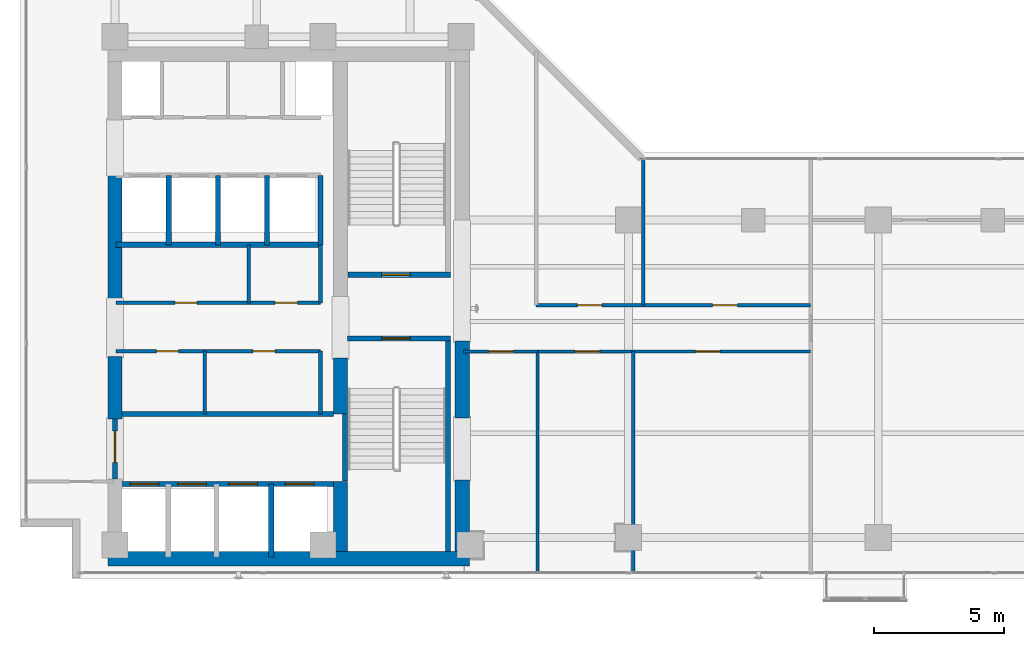
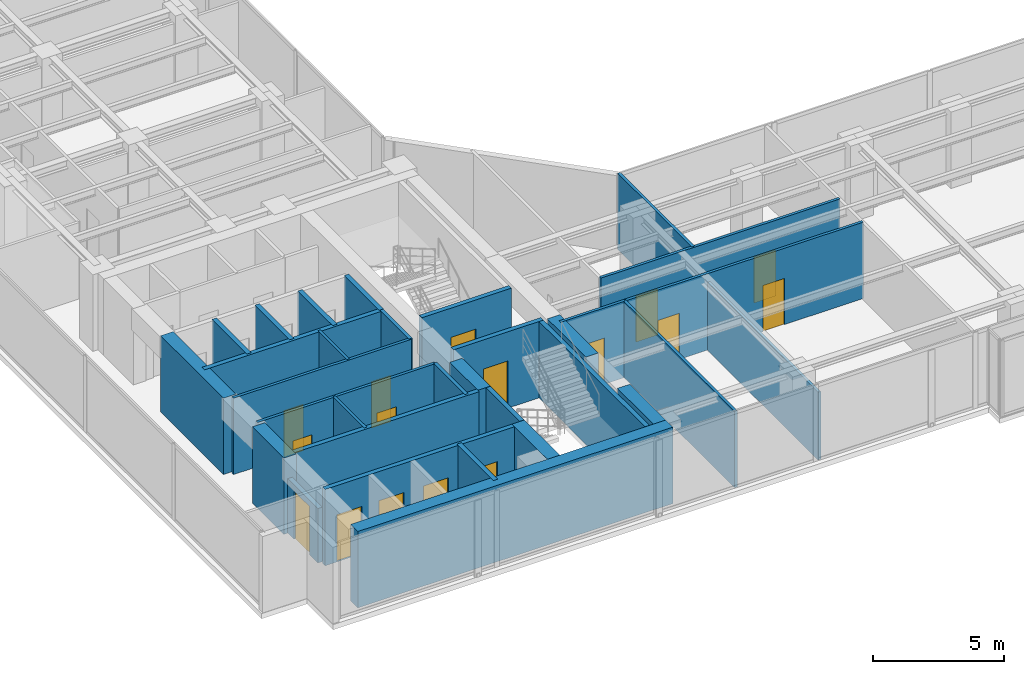
# One storey, part 17 of 24: 32 walls, 16 doors, 16 openings.
"""IFC4 building model written with IfcOpenShell, lengths in metres."""

from ifc_helpers import new_model, si_unit, direction, frame, frame_2d, origin, place, context, subcontext, project, spatial, rectangle, extrude, material, layer, layer_set, type_object, element, fill, save


model = new_model("IFC4")

# Units and contexts
model_context = context("Model", 3, precision=1e-05, world=origin(), true_north=direction((0.0, 1.0)))
body_context = subcontext(model_context, "Body", "Model", "MODEL_VIEW")
ifc_project = project(units=[si_unit("LENGTHUNIT", "METRE"), si_unit("AREAUNIT", "SQUARE_METRE"), si_unit("VOLUMEUNIT", "CUBIC_METRE"), si_unit("PLANEANGLEUNIT", "RADIAN"), si_unit("MASSUNIT", "GRAM", prefix="KILO")], contexts=[model_context])

# Site, building, storey
site_placement = place(None, origin())
site = spatial("IfcSite", under=ifc_project, at=site_placement, CompositionType="ELEMENT")
building_placement = place(site_placement, origin())
building = spatial("IfcBuilding", under=site, at=building_placement, Name="Kolvaren Waterfront Exchange", CompositionType="ELEMENT")
storey_placement = place(building_placement, frame((0.0, 0.0, 238.699951171875)))
storey = spatial("IfcBuildingStorey", under=building, at=storey_placement, Name="L61", CompositionType="ELEMENT", Elevation=238.699951171875)

# Wall, opening, door
ifc_material_1 = material(Name="Precast concrete C40/50", Category="concrete")
ifc_layer_1 = layer(ifc_material_1, 0.199951171875, Name="Precast concrete C40/50")
ifc_layer_set_1 = layer_set([ifc_layer_1], Name="Precast concrete C40/50")
wall_type_1 = type_object("IfcWallType", Name="ARC-FIRE-200", PredefinedType="PARTITIONING", material=ifc_layer_set_1)
wall_1_placement = place(storey_placement, frame((16.39990234375, 12.85009765625, 0.0), z_axis=(0.0, 0.0, 1.0), x_axis=(1.0, 0.0, 0.0)))
wall_1 = element("IfcWall", 1, at=wall_1_placement, inside=storey, type_object=wall_type_1, Name="L61 interior wall PW-L61-ST1-THROAT-S", PredefinedType="PARTITIONING", context=body_context, shape_type="SweptSolid", body=[
    extrude(rectangle(XDim=3.960205078125, YDim=0.199951171875, at=frame_2d((1.97998046875, 0.0))), origin(), (0.0, 0.0, 1.0), 3.56005859375),
])
opening_1_placement = place(wall_1_placement, frame((1.3037109375, 0.0, 0.0)))
opening_1 = element("IfcOpeningElement", 2, at=opening_1_placement, cuts=wall_1, Name="Opening FD2", PredefinedType="OPENING", context=body_context, shape_type="SweptSolid", body=[
    extrude(rectangle(XDim=1.10009765625, YDim=2.199951171875, at=frame_2d((0.550048828125, 1.10009765625))), frame((0.0, 0.10986328125, 0.0), z_axis=(0.0, -1.0, 0.0), x_axis=(1.0, 0.0, 0.0)), (0.0, 0.0, 1.0), 0.219970703125),
])
ifc_material_2 = material(Name="Pressed steel smoke-seal fire door", Category="steel")
door_type_1 = type_object("IfcDoorType", Name="ARC-FD-1100", OperationType="NOTDEFINED", PredefinedType="DOOR", material=ifc_material_2)
door_1_placement = place(opening_1_placement, frame((1.10009765625, 0.0, 0.0), z_axis=(0.0, 0.0, 1.0), x_axis=(-1.0, 0.0, 0.0)))
door_1 = element("IfcDoor", 3, at=door_1_placement, inside=storey, type_object=door_type_1, Name="L61 door DR-L61-ST1-IN (FD2)", OperationType="SINGLE_SWING_LEFT", OverallHeight=2.199951171875, OverallWidth=1.10009765625, PredefinedType="DOOR", context=body_context, shape_type="SweptSolid", body=[
    extrude(rectangle(XDim=1.10009765625, YDim=2.199951171875, at=frame_2d((0.550048828125, 1.10009765625))), frame((0.0, 0.02490234375, 0.0), z_axis=(0.0, -1.0, 0.0), x_axis=(1.0, 0.0, 0.0)), (0.0, 0.0, 1.0), 0.050048828125),
])
fill(opening_1, door_1)

wall_2_placement = place(storey_placement, frame((16.409912109375, 15.300048828125, 0.0), z_axis=(0.0, 0.0, 1.0), x_axis=(1.0, 0.0, 0.0)))
wall_2 = element("IfcWall", 4, at=wall_2_placement, inside=storey, type_object=wall_type_1, Name="L61 interior wall PW-L61-ST2-THROAT-N", PredefinedType="PARTITIONING", context=body_context, shape_type="SweptSolid", body=[
    extrude(rectangle(XDim=3.9501953125, YDim=0.199951171875, at=frame_2d((1.97509765625, 0.0))), origin(), (0.0, 0.0, 1.0), 3.56005859375),
])
opening_2_placement = place(wall_2_placement, frame((1.293701171875, 0.0, 0.0)))
opening_2 = element("IfcOpeningElement", 5, at=opening_2_placement, cuts=wall_2, Name="Opening FD2", PredefinedType="OPENING", context=body_context, shape_type="SweptSolid", body=[
    extrude(rectangle(XDim=1.10009765625, YDim=2.199951171875, at=frame_2d((0.550048828125, 1.10009765625))), frame((0.0, 0.10986328125, 0.0), z_axis=(0.0, -1.0, 0.0), x_axis=(1.0, 0.0, 0.0)), (0.0, 0.0, 1.0), 0.219970703125),
])
door_2_placement = place(opening_2_placement, origin())
door_2 = element("IfcDoor", 6, at=door_2_placement, inside=storey, type_object=door_type_1, Name="L61 door DR-L61-ST2-IN (FD2)", OperationType="SINGLE_SWING_RIGHT", OverallHeight=2.199951171875, OverallWidth=1.10009765625, PredefinedType="DOOR", context=body_context, shape_type="SweptSolid", body=[
    extrude(rectangle(XDim=1.10009765625, YDim=2.199951171875, at=frame_2d((0.550048828125, 1.10009765625))), frame((0.0, 0.02490234375, 0.0), z_axis=(0.0, -1.0, 0.0), x_axis=(1.0, 0.0, 0.0)), (0.0, 0.0, 1.0), 0.050048828125),
])
fill(opening_2, door_2)

# Wall
wall_3_placement = place(storey_placement, frame((7.5, 9.949951171875, 0.0), z_axis=(0.0, 0.0, 1.0), x_axis=(1.0, 0.0, 0.0)))
element("IfcWall", 7, at=wall_3_placement, inside=storey, type_object=wall_type_1, Name="L61 interior wall PW-L61-FF-N", PredefinedType="PARTITIONING", context=body_context, shape_type="SweptSolid", body=[
    extrude(rectangle(XDim=8.35009765625, YDim=0.199951171875, at=frame_2d((4.175048828125, 0.0))), origin(), (0.0, 0.0, 1.0), 3.56005859375),
])

# Wall, opening, door
wall_4_placement = place(storey_placement, frame((7.449951171875, 7.449951171875, 0.0), z_axis=(0.0, 0.0, 1.0), x_axis=(0.0, 1.0, 0.0)))
wall_4 = element("IfcWall", 8, at=wall_4_placement, inside=storey, type_object=wall_type_1, Name="L61 interior wall PW-L61-FF-W-DOOR", PredefinedType="PARTITIONING", context=body_context, shape_type="SweptSolid", body=[
    extrude(rectangle(XDim=2.300048828125, YDim=0.199951171875, at=frame_2d((1.14990234375, 0.0))), origin(), (0.0, 0.0, 1.0), 2.5400390625),
])
opening_3_placement = place(wall_4_placement, frame((0.63330078125, 0.0, 0.0)))
opening_3 = element("IfcOpeningElement", 9, at=opening_3_placement, cuts=wall_4, Name="Opening FD3", PredefinedType="OPENING", context=body_context, shape_type="SweptSolid", body=[
    extrude(rectangle(XDim=1.199951171875, YDim=2.25, at=frame_2d((0.60009765625, 1.125))), frame((0.0, 0.10986328125, 0.0), z_axis=(0.0, -1.0, 0.0), x_axis=(1.0, 0.0, 0.0)), (0.0, 0.0, 1.0), 0.219970703125),
])
ifc_material_3 = material(Name="Pressed steel fire door", Category="steel")
door_type_2 = type_object("IfcDoorType", Name="ARC-FD-1200", OperationType="NOTDEFINED", PredefinedType="DOOR", material=ifc_material_3)
door_3_placement = place(opening_3_placement, frame((1.199951171875, 0.0, 0.0), z_axis=(0.0, 0.0, 1.0), x_axis=(-1.0, 0.0, 0.0)))
door_3 = element("IfcDoor", 10, at=door_3_placement, inside=storey, type_object=door_type_2, Name="L61 door DR-L61-FF-OUT (FD3)", OperationType="SINGLE_SWING_LEFT", OverallHeight=2.25, OverallWidth=1.199951171875, PredefinedType="DOOR", context=body_context, shape_type="SweptSolid", body=[
    extrude(rectangle(XDim=1.199951171875, YDim=2.25, at=frame_2d((0.60009765625, 1.125))), frame((0.0, 0.02490234375, 0.0), z_axis=(0.0, -1.0, 0.0), x_axis=(1.0, 0.0, 0.0)), (0.0, 0.0, 1.0), 0.050048828125),
])
fill(opening_3, door_3)

# Wall, openings, doors
ifc_material_4 = material(Name="Acoustic gypsum steel stud", Category="steel")
ifc_layer_2 = layer(ifc_material_4, 0.125, Name="Acoustic gypsum steel stud")
ifc_layer_set_2 = layer_set([ifc_layer_2], Name="Acoustic gypsum steel stud")
wall_type_2 = type_object("IfcWallType", Name="ARC-PART-125", PredefinedType="PARTITIONING", material=ifc_layer_set_2)
wall_5_placement = place(storey_placement, frame((7.5, 12.360107421875, 0.0), z_axis=(0.0, 0.0, 1.0), x_axis=(1.0, 0.0, 0.0)))
wall_5 = element("IfcWall", 11, at=wall_5_placement, inside=storey, type_object=wall_type_2, Name="L61 interior wall PW-L61-REC-HI-S", PredefinedType="PARTITIONING", context=body_context, shape_type="SweptSolid", body=[
    extrude(rectangle(XDim=7.85009765625, YDim=0.125, at=frame_2d((3.925048828125, 0.0))), origin(), (0.0, 0.0, 1.0), 3.56005859375),
])
opening_4_placement = place(wall_5_placement, frame((1.550048828125, 0.0, 0.0)))
opening_4 = element("IfcOpeningElement", 12, at=opening_4_placement, cuts=wall_5, Name="Opening D01", PredefinedType="OPENING", context=body_context, shape_type="SweptSolid", body=[
    extrude(rectangle(XDim=0.85009765625, YDim=2.14990234375, at=frame_2d((0.425048828125, 1.074951171875))), frame((0.0, 0.072509765625, 0.0), z_axis=(0.0, -1.0, 0.0), x_axis=(1.0, 0.0, 0.0)), (0.0, 0.0, 1.0), 0.14501953125),
])
opening_5_placement = place(wall_5_placement, frame((5.2578125, 0.0, 0.0)))
opening_5 = element("IfcOpeningElement", 13, at=opening_5_placement, cuts=wall_5, Name="Opening D01", PredefinedType="OPENING", context=body_context, shape_type="SweptSolid", body=[
    extrude(rectangle(XDim=0.85009765625, YDim=2.14990234375, at=frame_2d((0.425048828125, 1.074951171875))), frame((0.0, 0.072509765625, 0.0), z_axis=(0.0, -1.0, 0.0), x_axis=(1.0, 0.0, 0.0)), (0.0, 0.0, 1.0), 0.14501953125),
])
ifc_material_5 = material(Name="Oak veneer timber leaf", Category="wood")
door_type_3 = type_object("IfcDoorType", Name="ARC-DR-900", OperationType="NOTDEFINED", PredefinedType="DOOR", material=ifc_material_5)
door_4_placement = place(opening_4_placement, origin())
door_4 = element("IfcDoor", 14, at=door_4_placement, inside=storey, type_object=door_type_3, Name="L61 door DR-L61-REC-HI-D1 (D01)", OperationType="SINGLE_SWING_RIGHT", OverallHeight=2.14990234375, OverallWidth=0.85009765625, PredefinedType="DOOR", context=body_context, shape_type="SweptSolid", body=[
    extrude(rectangle(XDim=0.85009765625, YDim=2.14990234375, at=frame_2d((0.425048828125, 1.074951171875))), frame((0.0, 0.02490234375, 0.0), z_axis=(0.0, -1.0, 0.0), x_axis=(1.0, 0.0, 0.0)), (0.0, 0.0, 1.0), 0.050048828125),
])
fill(opening_4, door_4)
door_5_placement = place(opening_5_placement, origin())
door_5 = element("IfcDoor", 15, at=door_5_placement, inside=storey, type_object=door_type_3, Name="L61 door DR-L61-REC-HI-D2 (D01)", OperationType="SINGLE_SWING_LEFT", OverallHeight=2.14990234375, OverallWidth=0.85009765625, PredefinedType="DOOR", context=body_context, shape_type="SweptSolid", body=[
    extrude(rectangle(XDim=0.85009765625, YDim=2.14990234375, at=frame_2d((0.425048828125, 1.074951171875))), frame((0.0, 0.02490234375, 0.0), z_axis=(0.0, -1.0, 0.0), x_axis=(1.0, 0.0, 0.0)), (0.0, 0.0, 1.0), 0.050048828125),
])
fill(opening_5, door_5)

wall_6_placement = place(storey_placement, frame((7.5, 14.219970703125, 0.0), z_axis=(0.0, 0.0, 1.0), x_axis=(1.0, 0.0, 0.0)))
wall_6 = element("IfcWall", 16, at=wall_6_placement, inside=storey, type_object=wall_type_2, Name="L61 interior wall PW-L61-REC-HI-N", PredefinedType="PARTITIONING", context=body_context, shape_type="SweptSolid", body=[
    extrude(rectangle(XDim=7.85009765625, YDim=0.125, at=frame_2d((3.925048828125, 0.0))), origin(), (0.0, 0.0, 1.0), 3.56005859375),
])
opening_6_placement = place(wall_6_placement, frame((2.25244140625, 0.0, 0.0)))
opening_6 = element("IfcOpeningElement", 17, at=opening_6_placement, cuts=wall_6, Name="Opening D01", PredefinedType="OPENING", context=body_context, shape_type="SweptSolid", body=[
    extrude(rectangle(XDim=0.85009765625, YDim=2.14990234375, at=frame_2d((0.425048828125, 1.074951171875))), frame((0.0, 0.072509765625, 0.0), z_axis=(0.0, -1.0, 0.0), x_axis=(1.0, 0.0, 0.0)), (0.0, 0.0, 1.0), 0.14501953125),
])
opening_7_placement = place(wall_6_placement, frame((6.111328125, 0.0, 0.0)))
opening_7 = element("IfcOpeningElement", 18, at=opening_7_placement, cuts=wall_6, Name="Opening D01", PredefinedType="OPENING", context=body_context, shape_type="SweptSolid", body=[
    extrude(rectangle(XDim=0.85009765625, YDim=2.14990234375, at=frame_2d((0.425048828125, 1.074951171875))), frame((0.0, 0.072509765625, 0.0), z_axis=(0.0, -1.0, 0.0), x_axis=(1.0, 0.0, 0.0)), (0.0, 0.0, 1.0), 0.14501953125),
])
door_6_placement = place(opening_6_placement, origin())
door_6 = element("IfcDoor", 19, at=door_6_placement, inside=storey, type_object=door_type_3, Name="L61 door DR-L61-REC-HI-D3 (D01)", OperationType="SINGLE_SWING_RIGHT", OverallHeight=2.14990234375, OverallWidth=0.85009765625, PredefinedType="DOOR", context=body_context, shape_type="SweptSolid", body=[
    extrude(rectangle(XDim=0.85009765625, YDim=2.14990234375, at=frame_2d((0.425048828125, 1.074951171875))), frame((0.0, 0.02490234375, 0.0), z_axis=(0.0, -1.0, 0.0), x_axis=(1.0, 0.0, 0.0)), (0.0, 0.0, 1.0), 0.050048828125),
])
fill(opening_6, door_6)
door_7_placement = place(opening_7_placement, origin())
door_7 = element("IfcDoor", 20, at=door_7_placement, inside=storey, type_object=door_type_3, Name="L61 door DR-L61-REC-HI-D4 (D01)", OperationType="SINGLE_SWING_LEFT", OverallHeight=2.14990234375, OverallWidth=0.85009765625, PredefinedType="DOOR", context=body_context, shape_type="SweptSolid", body=[
    extrude(rectangle(XDim=0.85009765625, YDim=2.14990234375, at=frame_2d((0.425048828125, 1.074951171875))), frame((0.0, 0.02490234375, 0.0), z_axis=(0.0, -1.0, 0.0), x_axis=(1.0, 0.0, 0.0)), (0.0, 0.0, 1.0), 0.050048828125),
])
fill(opening_7, door_7)

# Walls
wall_7_placement = place(storey_placement, frame((10.89990234375, 9.949951171875, 0.0), z_axis=(0.0, 0.0, 1.0), x_axis=(0.0, 1.0, 0.0)))
element("IfcWall", 21, at=wall_7_placement, inside=storey, type_object=wall_type_2, Name="L61 interior wall PW-L61-REC-HI-MS3", PredefinedType="PARTITIONING", context=body_context, shape_type="SweptSolid", body=[
    extrude(rectangle(XDim=2.41015625, YDim=0.125, at=frame_2d((1.205078125, 0.0))), origin(), (0.0, 0.0, 1.0), 3.56005859375),
])
wall_8_placement = place(storey_placement, frame((12.60009765625, 14.219970703125, 0.0), z_axis=(0.0, 0.0, 1.0), x_axis=(0.0, 1.0, 0.0)))
element("IfcWall", 22, at=wall_8_placement, inside=storey, type_object=wall_type_2, Name="L61 interior wall PW-L61-REC-HI-MN3", PredefinedType="PARTITIONING", context=body_context, shape_type="SweptSolid", body=[
    extrude(rectangle(XDim=2.22998046875, YDim=0.125, at=frame_2d((1.114990234375, 0.0))), origin(), (0.0, 0.0, 1.0), 3.56005859375),
])

# Wall, opening, door
wall_9_placement = place(storey_placement, frame((20.85009765625, 12.35009765625, 0.0), z_axis=(0.0, 0.0, 1.0), x_axis=(1.0, 0.0, 0.0)))
wall_9 = element("IfcWall", 23, at=wall_9_placement, inside=storey, type_object=wall_type_2, Name="L61 interior wall PW-L61-SWST3-N", PredefinedType="PARTITIONING", context=body_context, shape_type="SweptSolid", body=[
    extrude(rectangle(XDim=2.849853515625, YDim=0.125, at=frame_2d((1.4248046875, 0.0))), origin(), (0.0, 0.0, 1.0), 3.56005859375),
])
opening_8_placement = place(wall_9_placement, frame((0.971435546875, 0.0, 0.0)))
opening_8 = element("IfcOpeningElement", 24, at=opening_8_placement, cuts=wall_9, Name="Opening D02", PredefinedType="OPENING", context=body_context, shape_type="SweptSolid", body=[
    extrude(rectangle(XDim=0.949951171875, YDim=2.14990234375, at=frame_2d((0.47509765625, 1.074951171875))), frame((0.0, 0.072509765625, 0.0), z_axis=(0.0, -1.0, 0.0), x_axis=(1.0, 0.0, 0.0)), (0.0, 0.0, 1.0), 0.14501953125),
])
ifc_material_6 = material(Name="Oak veneer acoustic timber", Category="wood")
door_type_4 = type_object("IfcDoorType", Name="ARC-DR-950", OperationType="NOTDEFINED", PredefinedType="DOOR", material=ifc_material_6)
door_8_placement = place(opening_8_placement, origin())
door_8 = element("IfcDoor", 25, at=door_8_placement, inside=storey, type_object=door_type_4, Name="L61 door DR-L61-SWST3-D (D02)", OperationType="SINGLE_SWING_RIGHT", OverallHeight=2.14990234375, OverallWidth=0.949951171875, PredefinedType="DOOR", context=body_context, shape_type="SweptSolid", body=[
    extrude(rectangle(XDim=0.949951171875, YDim=2.14990234375, at=frame_2d((0.47509765625, 1.074951171875))), frame((0.0, 0.02490234375, 0.0), z_axis=(0.0, -1.0, 0.0), x_axis=(1.0, 0.0, 0.0)), (0.0, 0.0, 1.0), 0.050048828125),
])
fill(opening_8, door_8)

# Wall
wall_10_placement = place(storey_placement, frame((23.699951171875, 3.840087890625, 0.0), z_axis=(0.0, 0.0, 1.0), x_axis=(0.0, 1.0, 0.0)))
element("IfcWall", 26, at=wall_10_placement, inside=storey, type_object=wall_type_2, Name="L61 interior wall PW-L61-ES-W0", PredefinedType="PARTITIONING", context=body_context, shape_type="SweptSolid", body=[
    extrude(rectangle(XDim=8.510009765625, YDim=0.125, at=frame_2d((4.2548828125, 0.0))), origin(), (0.0, 0.0, 1.0), 3.56005859375),
])

# Wall, openings, doors
wall_11_placement = place(storey_placement, frame((23.699951171875, 12.35009765625, 0.0), z_axis=(0.0, 0.0, 1.0), x_axis=(1.0, 0.0, 0.0)))
wall_11 = element("IfcWall", 27, at=wall_11_placement, inside=storey, type_object=wall_type_2, Name="L61 interior wall PW-L61-ES-CORR", PredefinedType="PARTITIONING", context=body_context, shape_type="SweptSolid", body=[
    extrude(rectangle(XDim=10.5, YDim=0.125, at=frame_2d((5.25, 0.0))), origin(), (0.0, 0.0, 1.0), 3.56005859375),
])
opening_9_placement = place(wall_11_placement, frame((1.439208984375, 0.0, 0.0)))
opening_9 = element("IfcOpeningElement", 28, at=opening_9_placement, cuts=wall_11, Name="Opening D02", PredefinedType="OPENING", context=body_context, shape_type="SweptSolid", body=[
    extrude(rectangle(XDim=0.949951171875, YDim=2.14990234375, at=frame_2d((0.47509765625, 1.074951171875))), frame((0.0, 0.072509765625, 0.0), z_axis=(0.0, -1.0, 0.0), x_axis=(1.0, 0.0, 0.0)), (0.0, 0.0, 1.0), 0.14501953125),
])
opening_10_placement = place(wall_11_placement, frame((6.069091796875, 0.0, 0.0)))
opening_10 = element("IfcOpeningElement", 29, at=opening_10_placement, cuts=wall_11, Name="Opening D02", PredefinedType="OPENING", context=body_context, shape_type="SweptSolid", body=[
    extrude(rectangle(XDim=0.949951171875, YDim=2.14990234375, at=frame_2d((0.47509765625, 1.074951171875))), frame((0.0, 0.072509765625, 0.0), z_axis=(0.0, -1.0, 0.0), x_axis=(1.0, 0.0, 0.0)), (0.0, 0.0, 1.0), 0.14501953125),
])
door_9_placement = place(opening_9_placement, origin())
door_9 = element("IfcDoor", 30, at=door_9_placement, inside=storey, type_object=door_type_4, Name="L61 door DR-L61-ES-D-1 (D02)", OperationType="SINGLE_SWING_LEFT", OverallHeight=2.14990234375, OverallWidth=0.949951171875, PredefinedType="DOOR", context=body_context, shape_type="SweptSolid", body=[
    extrude(rectangle(XDim=0.949951171875, YDim=2.14990234375, at=frame_2d((0.47509765625, 1.074951171875))), frame((0.0, 0.02490234375, 0.0), z_axis=(0.0, -1.0, 0.0), x_axis=(1.0, 0.0, 0.0)), (0.0, 0.0, 1.0), 0.050048828125),
])
fill(opening_9, door_9)
door_10_placement = place(opening_10_placement, origin())
door_10 = element("IfcDoor", 31, at=door_10_placement, inside=storey, type_object=door_type_4, Name="L61 door DR-L61-ES-D-2 (D02)", OperationType="SINGLE_SWING_RIGHT", OverallHeight=2.14990234375, OverallWidth=0.949951171875, PredefinedType="DOOR", context=body_context, shape_type="SweptSolid", body=[
    extrude(rectangle(XDim=0.949951171875, YDim=2.14990234375, at=frame_2d((0.47509765625, 1.074951171875))), frame((0.0, 0.02490234375, 0.0), z_axis=(0.0, -1.0, 0.0), x_axis=(1.0, 0.0, 0.0)), (0.0, 0.0, 1.0), 0.050048828125),
])
fill(opening_10, door_10)

# Wall
wall_12_placement = place(storey_placement, frame((27.3798828125, 3.840087890625, 0.0), z_axis=(0.0, 0.0, 1.0), x_axis=(0.0, 1.0, 0.0)))
element("IfcWall", 32, at=wall_12_placement, inside=storey, type_object=wall_type_2, Name="L61 interior wall PW-L61-ES-DIV-1", PredefinedType="PARTITIONING", context=body_context, shape_type="SweptSolid", body=[
    extrude(rectangle(XDim=8.510009765625, YDim=0.125, at=frame_2d((4.2548828125, 0.0))), origin(), (0.0, 0.0, 1.0), 3.16015625),
])

# Wall, openings, doors
wall_13_placement = place(storey_placement, frame((23.64990234375, 14.1298828125, 0.0), z_axis=(0.0, 0.0, 1.0), x_axis=(1.0, 0.0, 0.0)))
wall_13 = element("IfcWall", 33, at=wall_13_placement, inside=storey, type_object=wall_type_2, Name="L61 interior wall PW-L61-EN-CORR", PredefinedType="PARTITIONING", context=body_context, shape_type="SweptSolid", body=[
    extrude(rectangle(XDim=10.550048828125, YDim=0.125, at=frame_2d((5.27490234375, 0.0))), origin(), (0.0, 0.0, 1.0), 3.56005859375),
])
opening_11_placement = place(wall_13_placement, frame((1.580078125, 0.0, 0.0)))
opening_11 = element("IfcOpeningElement", 34, at=opening_11_placement, cuts=wall_13, Name="Opening D02", PredefinedType="OPENING", context=body_context, shape_type="SweptSolid", body=[
    extrude(rectangle(XDim=0.949951171875, YDim=2.14990234375, at=frame_2d((0.47509765625, 1.074951171875))), frame((0.0, 0.072509765625, 0.0), z_axis=(0.0, -1.0, 0.0), x_axis=(1.0, 0.0, 0.0)), (0.0, 0.0, 1.0), 0.14501953125),
])
opening_12_placement = place(wall_13_placement, frame((6.783935546875, 0.0, 0.0)))
opening_12 = element("IfcOpeningElement", 35, at=opening_12_placement, cuts=wall_13, Name="Opening D02", PredefinedType="OPENING", context=body_context, shape_type="SweptSolid", body=[
    extrude(rectangle(XDim=0.949951171875, YDim=2.14990234375, at=frame_2d((0.47509765625, 1.074951171875))), frame((0.0, 0.072509765625, 0.0), z_axis=(0.0, -1.0, 0.0), x_axis=(1.0, 0.0, 0.0)), (0.0, 0.0, 1.0), 0.14501953125),
])
door_11_placement = place(opening_11_placement, origin())
door_11 = element("IfcDoor", 36, at=door_11_placement, inside=storey, type_object=door_type_4, Name="L61 door DR-L61-EN-D-1 (D02)", OperationType="SINGLE_SWING_LEFT", OverallHeight=2.14990234375, OverallWidth=0.949951171875, PredefinedType="DOOR", context=body_context, shape_type="SweptSolid", body=[
    extrude(rectangle(XDim=0.949951171875, YDim=2.14990234375, at=frame_2d((0.47509765625, 1.074951171875))), frame((0.0, 0.02490234375, 0.0), z_axis=(0.0, -1.0, 0.0), x_axis=(1.0, 0.0, 0.0)), (0.0, 0.0, 1.0), 0.050048828125),
])
fill(opening_11, door_11)
door_12_placement = place(opening_12_placement, origin())
door_12 = element("IfcDoor", 37, at=door_12_placement, inside=storey, type_object=door_type_4, Name="L61 door DR-L61-EN-D-2 (D02)", OperationType="SINGLE_SWING_RIGHT", OverallHeight=2.14990234375, OverallWidth=0.949951171875, PredefinedType="DOOR", context=body_context, shape_type="SweptSolid", body=[
    extrude(rectangle(XDim=0.949951171875, YDim=2.14990234375, at=frame_2d((0.47509765625, 1.074951171875))), frame((0.0, 0.02490234375, 0.0), z_axis=(0.0, -1.0, 0.0), x_axis=(1.0, 0.0, 0.0)), (0.0, 0.0, 1.0), 0.050048828125),
])
fill(opening_12, door_12)

# Walls
wall_14_placement = place(storey_placement, frame((27.760009765625, 14.1298828125, 0.0), z_axis=(0.0, 0.0, 1.0), x_axis=(0.0, 1.0, 0.0)))
element("IfcWall", 38, at=wall_14_placement, inside=storey, type_object=wall_type_2, Name="L61 interior wall PW-L61-EN-DIV-1", PredefinedType="PARTITIONING", context=body_context, shape_type="SweptSolid", body=[
    extrude(rectangle(XDim=5.670166015625, YDim=0.125, at=frame_2d((2.8349609375, 0.0))), origin(), (0.0, 0.0, 1.0), 3.56005859375),
])
ifc_material_7 = material(Name="Gypsum fireboard steel stud", Category="steel")
ifc_layer_3 = layer(ifc_material_7, 0.14990234375, Name="Gypsum fireboard steel stud")
ifc_layer_set_3 = layer_set([ifc_layer_3], Name="Gypsum fireboard steel stud")
wall_type_3 = type_object("IfcWallType", Name="ARC-PART-150", PredefinedType="PARTITIONING", material=ifc_layer_set_3)
wall_15_placement = place(storey_placement, frame((15.35009765625, 9.949951171875, 0.0), z_axis=(0.0, 0.0, 1.0), x_axis=(0.0, 1.0, 0.0)))
element("IfcWall", 39, at=wall_15_placement, inside=storey, type_object=wall_type_3, Name="L61 interior wall PW-L61-REC-HI-E1", PredefinedType="PARTITIONING", context=body_context, shape_type="SweptSolid", body=[
    extrude(rectangle(XDim=2.41015625, YDim=0.14990234375, at=frame_2d((1.205078125, 0.0))), origin(), (0.0, 0.0, 1.0), 3.56005859375),
])
wall_16_placement = place(storey_placement, frame((15.35009765625, 14.219970703125, 0.0), z_axis=(0.0, 0.0, 1.0), x_axis=(0.0, 1.0, 0.0)))
element("IfcWall", 40, at=wall_16_placement, inside=storey, type_object=wall_type_3, Name="L61 interior wall PW-L61-REC-HI-E2", PredefinedType="PARTITIONING", context=body_context, shape_type="SweptSolid", body=[
    extrude(rectangle(XDim=2.22998046875, YDim=0.14990234375, at=frame_2d((1.114990234375, 0.0))), origin(), (0.0, 0.0, 1.0), 3.56005859375),
])
ifc_material_8 = material(Name="Concrete C40/50", Category="concrete")
ifc_layer_4 = layer(ifc_material_8, 0.199951171875, Name="Concrete C40/50")
ifc_layer_set_4 = layer_set([ifc_layer_4], Name="Concrete C40/50")
wall_type_4 = type_object("IfcWallType", Name="ARC-SHAFT-200", PredefinedType="PARTITIONING", material=ifc_layer_set_4)
wall_17_placement = place(storey_placement, frame((16.300048828125, 7.360107421875, 0.0), z_axis=(0.0, 0.0, 1.0), x_axis=(0.0, 1.0, 0.0)))
element("IfcWall", 41, at=wall_17_placement, inside=storey, type_object=wall_type_4, Name="L61 structural stairwell wall PW-L61-ST1-W", PredefinedType="SHEAR", context=body_context, shape_type="SweptSolid", body=[
    extrude(rectangle(XDim=2.579833984375, YDim=0.199951171875, at=frame_2d((1.2900390625, 0.0))), origin(), (0.0, 0.0, 1.0), 3.56005859375),
])
wall_18_placement = place(storey_placement, frame((20.260009765625, 4.659912109375, 0.0), z_axis=(0.0, 0.0, 1.0), x_axis=(0.0, 1.0, 0.0)))
element("IfcWall", 42, at=wall_18_placement, inside=storey, type_object=wall_type_4, Name="L61 structural stairwell wall PW-L61-ST1-E", PredefinedType="SHEAR", context=body_context, shape_type="SweptSolid", body=[
    extrude(rectangle(XDim=8.090087890625, YDim=0.199951171875, at=frame_2d((4.044921875, 0.0))), origin(), (0.0, 0.0, 1.0), 3.56005859375),
])

# Wall, openings, doors
wall_19_placement = place(storey_placement, frame((7.5, 7.25, 0.0), z_axis=(0.0, 0.0, 1.0), x_axis=(1.0, 0.0, 0.0)))
wall_19 = element("IfcWall", 43, at=wall_19_placement, inside=storey, type_object=wall_type_4, Name="L61 interior wall PW-L61-FF-S", PredefinedType="PARTITIONING", context=body_context, shape_type="SweptSolid", body=[
    extrude(rectangle(XDim=8.35009765625, YDim=0.199951171875, at=frame_2d((4.175048828125, 0.0))), origin(), (0.0, 0.0, 1.0), 3.56005859375),
])
opening_13_placement = place(wall_19_placement, frame((0.530029296875, 0.0, 0.0)))
opening_13 = element("IfcOpeningElement", 44, at=opening_13_placement, cuts=wall_19, Name="Opening LD1", PredefinedType="OPENING", context=body_context, shape_type="SweptSolid", body=[
    extrude(rectangle(XDim=1.10009765625, YDim=2.199951171875, at=frame_2d((0.550048828125, 1.10009765625))), frame((0.0, 0.10986328125, 0.0), z_axis=(0.0, -1.0, 0.0), x_axis=(1.0, 0.0, 0.0)), (0.0, 0.0, 1.0), 0.219970703125),
])
opening_14_placement = place(wall_19_placement, frame((2.3701171875, 0.0, 0.0)))
opening_14 = element("IfcOpeningElement", 45, at=opening_14_placement, cuts=wall_19, Name="Opening LD1", PredefinedType="OPENING", context=body_context, shape_type="SweptSolid", body=[
    extrude(rectangle(XDim=1.10009765625, YDim=2.199951171875, at=frame_2d((0.550048828125, 1.10009765625))), frame((0.0, 0.10986328125, 0.0), z_axis=(0.0, -1.0, 0.0), x_axis=(1.0, 0.0, 0.0)), (0.0, 0.0, 1.0), 0.219970703125),
])
opening_15_placement = place(wall_19_placement, frame((4.330078125, 0.0, 0.0)))
opening_15 = element("IfcOpeningElement", 46, at=opening_15_placement, cuts=wall_19, Name="Opening LD1", PredefinedType="OPENING", context=body_context, shape_type="SweptSolid", body=[
    extrude(rectangle(XDim=1.10009765625, YDim=2.199951171875, at=frame_2d((0.550048828125, 1.10009765625))), frame((0.0, 0.10986328125, 0.0), z_axis=(0.0, -1.0, 0.0), x_axis=(1.0, 0.0, 0.0)), (0.0, 0.0, 1.0), 0.219970703125),
])
opening_16_placement = place(wall_19_placement, frame((6.5, 0.0, 0.0)))
opening_16 = element("IfcOpeningElement", 47, at=opening_16_placement, cuts=wall_19, Name="Opening LD1", PredefinedType="OPENING", context=body_context, shape_type="SweptSolid", body=[
    extrude(rectangle(XDim=1.10009765625, YDim=2.199951171875, at=frame_2d((0.550048828125, 1.10009765625))), frame((0.0, 0.10986328125, 0.0), z_axis=(0.0, -1.0, 0.0), x_axis=(1.0, 0.0, 0.0)), (0.0, 0.0, 1.0), 0.219970703125),
])
ifc_material_9 = material(Name="Stainless steel sliding landing door", Category="steel")
door_type_5 = type_object("IfcDoorType", Name="ARC-LD-FF", OperationType="SLIDING_TO_LEFT", PredefinedType="DOOR", material=ifc_material_9)
door_13_placement = place(opening_13_placement, origin())
door_13 = element("IfcDoor", 48, at=door_13_placement, inside=storey, type_object=door_type_5, Name="L61 door LD-L61-FFL1 (LD1)", OperationType="SLIDING_TO_LEFT", OverallHeight=2.199951171875, OverallWidth=1.10009765625, PredefinedType="DOOR", context=body_context, shape_type="SweptSolid", body=[
    extrude(rectangle(XDim=1.10009765625, YDim=2.199951171875, at=frame_2d((0.550048828125, 1.10009765625))), frame((0.0, 0.02490234375, 0.0), z_axis=(0.0, -1.0, 0.0), x_axis=(1.0, 0.0, 0.0)), (0.0, 0.0, 1.0), 0.050048828125),
])
fill(opening_13, door_13)
door_14_placement = place(opening_14_placement, origin())
door_14 = element("IfcDoor", 49, at=door_14_placement, inside=storey, type_object=door_type_5, Name="L61 door LD-L61-FFL2 (LD1)", OperationType="SLIDING_TO_LEFT", OverallHeight=2.199951171875, OverallWidth=1.10009765625, PredefinedType="DOOR", context=body_context, shape_type="SweptSolid", body=[
    extrude(rectangle(XDim=1.10009765625, YDim=2.199951171875, at=frame_2d((0.550048828125, 1.10009765625))), frame((0.0, 0.02490234375, 0.0), z_axis=(0.0, -1.0, 0.0), x_axis=(1.0, 0.0, 0.0)), (0.0, 0.0, 1.0), 0.050048828125),
])
fill(opening_14, door_14)
door_15_placement = place(opening_15_placement, origin())
door_15 = element("IfcDoor", 50, at=door_15_placement, inside=storey, type_object=door_type_5, Name="L61 door LD-L61-GL1 (LD1)", OperationType="SLIDING_TO_LEFT", OverallHeight=2.199951171875, OverallWidth=1.10009765625, PredefinedType="DOOR", context=body_context, shape_type="SweptSolid", body=[
    extrude(rectangle(XDim=1.10009765625, YDim=2.199951171875, at=frame_2d((0.550048828125, 1.10009765625))), frame((0.0, 0.02490234375, 0.0), z_axis=(0.0, -1.0, 0.0), x_axis=(1.0, 0.0, 0.0)), (0.0, 0.0, 1.0), 0.050048828125),
])
fill(opening_15, door_15)
door_16_placement = place(opening_16_placement, origin())
door_16 = element("IfcDoor", 51, at=door_16_placement, inside=storey, type_object=door_type_5, Name="L61 door LD-L61-GL2 (LD1)", OperationType="SLIDING_TO_LEFT", OverallHeight=2.199951171875, OverallWidth=1.10009765625, PredefinedType="DOOR", context=body_context, shape_type="SweptSolid", body=[
    extrude(rectangle(XDim=1.10009765625, YDim=2.199951171875, at=frame_2d((0.550048828125, 1.10009765625))), frame((0.0, 0.02490234375, 0.0), z_axis=(0.0, -1.0, 0.0), x_axis=(1.0, 0.0, 0.0)), (0.0, 0.0, 1.0), 0.050048828125),
])
fill(opening_16, door_16)

# Walls
wall_20_placement = place(storey_placement, frame((13.4599609375, 4.449951171875, 0.0), z_axis=(0.0, 0.0, 1.0), x_axis=(0.0, 1.0, 0.0)))
element("IfcWall", 52, at=wall_20_placement, inside=storey, type_object=wall_type_4, Name="L61 interior wall PW-L61-SH1-DIV-134", PredefinedType="PARTITIONING", context=body_context, shape_type="SweptSolid", body=[
    extrude(rectangle(XDim=2.800048828125, YDim=0.199951171875, at=frame_2d((1.39990234375, 0.0))), origin(), (0.0, 0.0, 1.0), 3.56005859375),
])
wall_21_placement = place(storey_placement, frame((7.5, 16.449951171875, 0.0), z_axis=(0.0, 0.0, 1.0), x_axis=(1.0, 0.0, 0.0)))
element("IfcWall", 53, at=wall_21_placement, inside=storey, type_object=wall_type_4, Name="L61 interior wall PW-L61-REC-PM-N", PredefinedType="PARTITIONING", context=body_context, shape_type="SweptSolid", body=[
    extrude(rectangle(XDim=7.85009765625, YDim=0.199951171875, at=frame_2d((3.925048828125, 0.0))), origin(), (0.0, 0.0, 1.0), 3.56005859375),
])
for number, where, z_axis, x_axis, name in (
    (54, (15.35009765625, 16.449951171875, 0.0), (0.0, 0.0, 1.0), (0.0, 1.0, 0.0), "L61 interior wall PW-L61-PH-E"),
    (55, (9.52001953125, 16.449951171875, 0.0), (0.0, 0.0, 1.0), (0.0, 1.0, 0.0), "L61 interior wall PW-L61-SH4-DIV-95"),
    (56, (11.409912109375, 16.449951171875, 0.0), (0.0, 0.0, 1.0), (0.0, 1.0, 0.0), "L61 interior wall PW-L61-SH4-DIV-114"),
    (57, (13.300048828125, 16.449951171875, 0.0), (0.0, 0.0, 1.0), (0.0, 1.0, 0.0), "L61 interior wall PW-L61-SH4-DIV-133"),
):
    element("IfcWall", number, at=place(storey_placement, frame(where, z_axis=z_axis, x_axis=x_axis)), inside=storey, type_object=wall_type_4, Name=name, PredefinedType="PARTITIONING", context=body_context, shape_type="SweptSolid", body=[
        extrude(rectangle(XDim=2.670166015625, YDim=0.199951171875, at=frame_2d((1.3349609375, 0.0))), origin(), (0.0, 0.0, 1.0), 3.56005859375),
    ])
ifc_material_10 = material(Name="Concrete C50/60", Category="concrete")
ifc_layer_5 = layer(ifc_material_10, 0.550048828125, Name="Concrete C50/60")
ifc_layer_set_5 = layer_set([ifc_layer_5], Name="Concrete C50/60")
wall_type_5 = type_object("IfcWallType", Name="STR-CWALL-550", PredefinedType="SHEAR", material=ifc_layer_set_5)
wall_22_placement = place(storey_placement, frame((7.175048828125, 4.375, 0.0), z_axis=(0.0, 0.0, 1.0), x_axis=(1.0, 0.0, 0.0)))
element("IfcWall", 58, at=wall_22_placement, inside=storey, type_object=wall_type_5, Name="L61 rear-core shear wall S", PredefinedType="SHEAR", context=body_context, shape_type="SweptSolid", body=[
    extrude(rectangle(XDim=13.89990234375, YDim=0.550048828125, at=frame_2d((6.949951171875, 0.0))), origin(), (0.0, 0.0, 1.0), 3.56005859375),
])
wall_23_placement = place(storey_placement, frame((7.449951171875, 9.75, 0.0), z_axis=(0.0, 0.0, 1.0), x_axis=(0.0, 1.0, 0.0)))
element("IfcWall", 59, at=wall_23_placement, inside=storey, type_object=wall_type_5, Name="L61 rear-core shear wall W2A", PredefinedType="SHEAR", context=body_context, shape_type="SweptSolid", body=[
    extrude(rectangle(XDim=2.39990234375, YDim=0.550048828125, at=frame_2d((1.199951171875, 0.0))), origin(), (0.0, 0.0, 1.0), 3.56005859375),
])
wall_24_placement = place(storey_placement, frame((7.449951171875, 14.35009765625, 0.0), z_axis=(0.0, 0.0, 1.0), x_axis=(0.0, 1.0, 0.0)))
element("IfcWall", 60, at=wall_24_placement, inside=storey, type_object=wall_type_5, Name="L61 rear-core shear wall W2B", PredefinedType="SHEAR", context=body_context, shape_type="SweptSolid", body=[
    extrude(rectangle(XDim=4.809814453125, YDim=0.550048828125, at=frame_2d((2.40478515625, 0.0))), origin(), (0.0, 0.0, 1.0), 3.56005859375),
])
wall_25_placement = place(storey_placement, frame((20.800048828125, 4.64990234375, 0.0), z_axis=(0.0, 0.0, 1.0), x_axis=(0.0, 1.0, 0.0)))
element("IfcWall", 61, at=wall_25_placement, inside=storey, type_object=wall_type_5, Name="L61 rear-core shear wall E1", PredefinedType="SHEAR", context=body_context, shape_type="SweptSolid", body=[
    extrude(rectangle(XDim=2.75, YDim=0.550048828125, at=frame_2d((1.375, 0.0))), origin(), (0.0, 0.0, 1.0), 3.56005859375),
])
wall_26_placement = place(storey_placement, frame((20.800048828125, 9.800048828125, 0.0), z_axis=(0.0, 0.0, 1.0), x_axis=(0.0, 1.0, 0.0)))
element("IfcWall", 62, at=wall_26_placement, inside=storey, type_object=wall_type_5, Name="L61 rear-core shear wall E2", PredefinedType="SHEAR", context=body_context, shape_type="SweptSolid", body=[
    extrude(rectangle(XDim=2.949951171875, YDim=0.550048828125, at=frame_2d((1.47509765625, 0.0))), origin(), (0.0, 0.0, 1.0), 3.56005859375),
])
wall_27_placement = place(storey_placement, frame((16.125, 4.64990234375, 0.0), z_axis=(0.0, 0.0, 1.0), x_axis=(0.0, 1.0, 0.0)))
element("IfcWall", 63, at=wall_27_placement, inside=storey, type_object=wall_type_5, Name="L61 rear-core shear wall M1", PredefinedType="SHEAR", context=body_context, shape_type="SweptSolid", body=[
    extrude(rectangle(XDim=2.7001953125, YDim=0.550048828125, at=frame_2d((1.35009765625, 0.0))), origin(), (0.0, 0.0, 1.0), 3.56005859375),
])
wall_28_placement = place(storey_placement, frame((16.125, 9.949951171875, 0.0), z_axis=(0.0, 0.0, 1.0), x_axis=(0.0, 1.0, 0.0)))
element("IfcWall", 64, at=wall_28_placement, inside=storey, type_object=wall_type_5, Name="L61 rear-core shear wall M2", PredefinedType="SHEAR", context=body_context, shape_type="SweptSolid", body=[
    extrude(rectangle(XDim=2.150146484375, YDim=0.550048828125, at=frame_2d((1.0751953125, 0.0))), origin(), (0.0, 0.0, 1.0), 3.56005859375),
])

save(model, "model.ifc")
